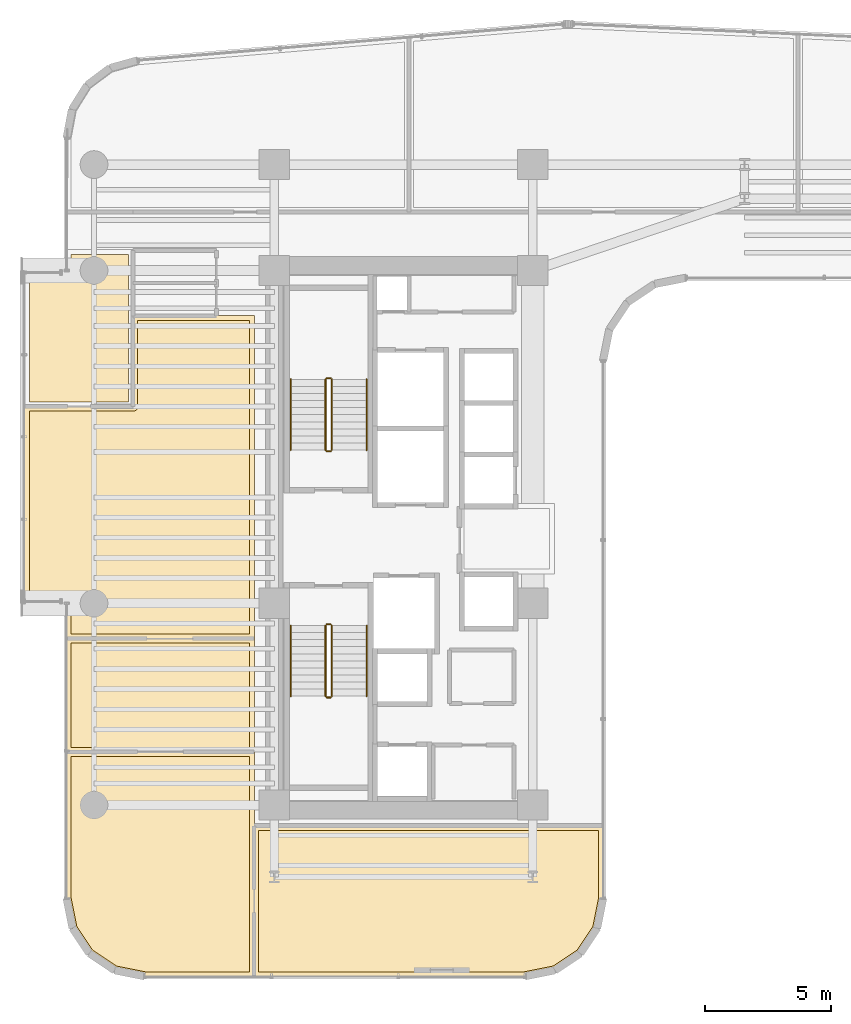
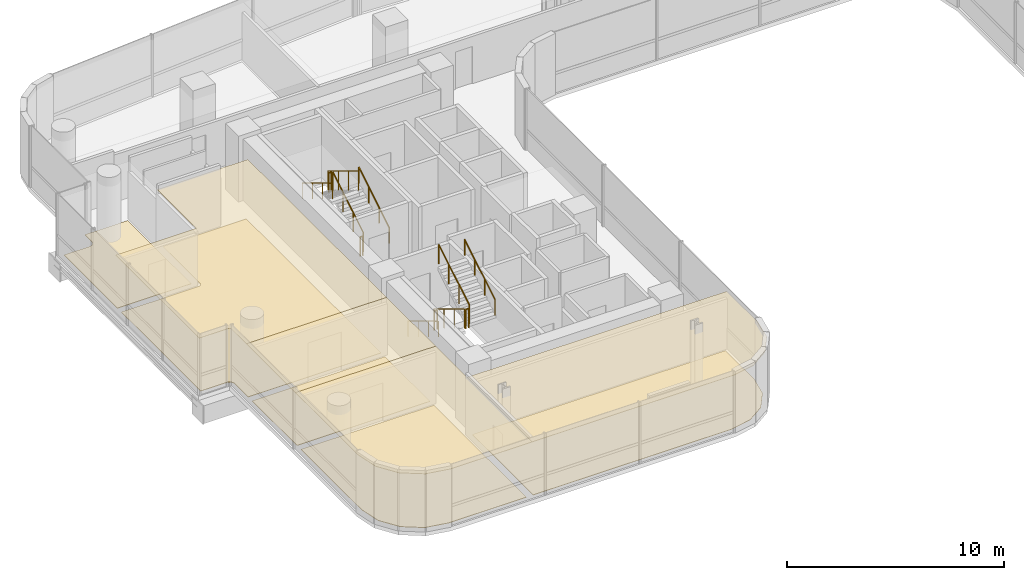
# One storey, part 31 of 34: 12 railings, 9 coverings.
"""IFC4 building model written with IfcOpenShell, lengths in metres."""

from ifc_helpers import new_model, si_unit, direction, frame, origin, origin_2d, place, context, subcontext, project, spatial, polyline, circle, outline, extrude, material, layer, layer_set, type_object, element, save


model = new_model("IFC4")

# Units and contexts
model_context = context("Model", 3, precision=1e-05, world=origin(), true_north=direction((0.0, 1.0)))
body_context = subcontext(model_context, "Body", "Model", "MODEL_VIEW")
ifc_project = project(units=[si_unit("LENGTHUNIT", "METRE"), si_unit("AREAUNIT", "SQUARE_METRE"), si_unit("VOLUMEUNIT", "CUBIC_METRE"), si_unit("PLANEANGLEUNIT", "RADIAN"), si_unit("MASSUNIT", "GRAM", prefix="KILO")], contexts=[model_context])

# Site, building, storey
site_placement = place(None, origin())
site = spatial("IfcSite", under=ifc_project, at=site_placement, CompositionType="ELEMENT")
building_placement = place(site_placement, origin())
building = spatial("IfcBuilding", under=site, at=building_placement, Name="Valdorenza Pilgrim Sanctuary Tower", CompositionType="ELEMENT")
storey_placement = place(building_placement, frame((0.0, 0.0, 142.699951171875)))
storey = spatial("IfcBuildingStorey", under=building, at=storey_placement, Name="L36", CompositionType="ELEMENT", Elevation=142.699951171875)

# Coverings
ifc_material_1 = material(Name="Micro-perforated acoustic mineral ceiling tile", Category="gypsum")
ifc_layer_1 = layer(ifc_material_1, 0.02490234375, Name="Micro-perforated acoustic mineral ceiling tile")
ifc_layer_set_1 = layer_set([ifc_layer_1], Name="Micro-perforated acoustic mineral ceiling tile")
covering_type_1 = type_object("IfcCoveringType", Name="COV-CLG-ACU", PredefinedType="CEILING", material=ifc_layer_set_1)
covering_1_placement = place(storey_placement, frame((0.0, 0.0, 3.16015625)))
element("IfcCovering", 1, at=covering_1_placement, inside=storey, type_object=covering_type_1, Name="L36 Theological Seminar Classroom L36-S1 Acoustic Ceiling", PredefinedType="CEILING", context=body_context, shape_type="SweptSolid", body=[
    extrude(outline(polyline([(-23.43505859375, -17.389892578125), (-23.43505859375, -17.3916015625), (-23.435302734375, -17.392822265625), (-23.435546875, -17.394287109375), (-23.43603515625, -17.395751953125), (-23.436767578125, -17.397216796875), (-23.4375, -17.398193359375), (-23.4384765625, -17.3994140625), (-23.439453125, -17.400634765625), (-23.4404296875, -17.401611328125), (-23.441650390625, -17.402587890625), (-23.44287109375, -17.4033203125), (-23.4443359375, -17.40380859375), (-23.445556640625, -17.404296875), (-23.447021484375, -17.40478515625), (-23.448486328125, -17.40478515625), (-23.449951171875, -17.405029296875), (-27.789306640625, -17.405029296875), (-27.79052734375, -17.40478515625), (-27.7919921875, -17.40478515625), (-28.984619140625, -17.16748046875), (-28.986083984375, -17.1669921875), (-28.9873046875, -17.16650390625), (-28.98876953125, -17.166015625), (-28.989990234375, -17.165283203125), (-29.99169921875, -16.495849609375), (-29.992919921875, -16.4951171875), (-29.993896484375, -16.493896484375), (-29.9951171875, -16.492919921875), (-29.995849609375, -16.49169921875), (-30.665283203125, -15.489990234375), (-30.666015625, -15.48876953125), (-30.66650390625, -15.4873046875), (-30.6669921875, -15.486083984375), (-30.66748046875, -15.484619140625), (-30.90478515625, -14.2919921875), (-30.90478515625, -14.29052734375), (-30.905029296875, -14.289306640625), (-30.905029296875, -8.5), (-30.90478515625, -8.49853515625), (-30.90478515625, -8.4970703125), (-30.904296875, -8.49560546875), (-30.90380859375, -8.494384765625), (-30.9033203125, -8.492919921875), (-30.902587890625, -8.49169921875), (-30.901611328125, -8.490478515625), (-30.900634765625, -8.489501953125), (-30.8994140625, -8.48828125), (-30.898193359375, -8.487548828125), (-30.897216796875, -8.48681640625), (-30.895751953125, -8.486083984375), (-30.894287109375, -8.485595703125), (-30.892822265625, -8.4853515625), (-30.8916015625, -8.485107421875), (-30.889892578125, -8.485107421875), (-23.449951171875, -8.485107421875), (-23.448486328125, -8.485107421875), (-23.447021484375, -8.4853515625), (-23.445556640625, -8.485595703125), (-23.4443359375, -8.486083984375), (-23.44287109375, -8.48681640625), (-23.441650390625, -8.487548828125), (-23.4404296875, -8.48828125), (-23.439453125, -8.489501953125), (-23.4384765625, -8.490478515625), (-23.4375, -8.49169921875), (-23.436767578125, -8.492919921875), (-23.43603515625, -8.494384765625), (-23.435546875, -8.49560546875), (-23.435302734375, -8.4970703125), (-23.43505859375, -8.49853515625), (-23.43505859375, -8.5), (-23.43505859375, -17.389892578125)])), origin(), (0.0, 0.0, 1.0), 0.02490234375),
])
covering_2_placement = place(storey_placement, frame((0.0, 0.0, 3.16015625)))
element("IfcCovering", 2, at=covering_2_placement, inside=storey, type_object=covering_type_1, Name="L36 South Contemplation Salon L36 Acoustic Ceiling", PredefinedType="CEILING", context=body_context, shape_type="SweptSolid", body=[
    extrude(outline(polyline([(-23.43505859375, -8.498046875), (-23.43505859375, -8.49951171875), (-23.435302734375, -8.5009765625), (-23.435546875, -8.50244140625), (-23.43603515625, -8.503662109375), (-23.436767578125, -8.505126953125), (-23.4375, -8.50634765625), (-23.4384765625, -8.507568359375), (-23.439453125, -8.508544921875), (-23.4404296875, -8.509521484375), (-23.441650390625, -8.510498046875), (-23.44287109375, -8.51123046875), (-23.4443359375, -8.511962890625), (-23.445556640625, -8.512451171875), (-23.447021484375, -8.5126953125), (-23.448486328125, -8.512939453125), (-23.449951171875, -8.512939453125), (-30.889892578125, -8.512939453125), (-30.8916015625, -8.512939453125), (-30.892822265625, -8.5126953125), (-30.894287109375, -8.512451171875), (-30.895751953125, -8.511962890625), (-30.897216796875, -8.51123046875), (-30.898193359375, -8.510498046875), (-30.8994140625, -8.509521484375), (-30.900634765625, -8.508544921875), (-30.901611328125, -8.507568359375), (-30.902587890625, -8.50634765625), (-30.9033203125, -8.505126953125), (-30.90380859375, -8.503662109375), (-30.904296875, -8.50244140625), (-30.90478515625, -8.5009765625), (-30.90478515625, -8.49951171875), (-30.905029296875, -8.498046875), (-30.905029296875, -4.0), (-30.90478515625, -3.99853515625), (-30.90478515625, -3.9970703125), (-30.904296875, -3.99560546875), (-30.90380859375, -3.994384765625), (-30.9033203125, -3.992919921875), (-30.902587890625, -3.99169921875), (-30.901611328125, -3.990478515625), (-30.900634765625, -3.989501953125), (-30.8994140625, -3.98828125), (-30.898193359375, -3.987548828125), (-30.897216796875, -3.98681640625), (-30.895751953125, -3.986083984375), (-30.894287109375, -3.985595703125), (-30.892822265625, -3.9853515625), (-30.8916015625, -3.985107421875), (-30.889892578125, -3.985107421875), (-23.449951171875, -3.985107421875), (-23.448486328125, -3.985107421875), (-23.447021484375, -3.9853515625), (-23.445556640625, -3.985595703125), (-23.4443359375, -3.986083984375), (-23.44287109375, -3.98681640625), (-23.441650390625, -3.987548828125), (-23.4404296875, -3.98828125), (-23.439453125, -3.989501953125), (-23.4384765625, -3.990478515625), (-23.4375, -3.99169921875), (-23.436767578125, -3.992919921875), (-23.43603515625, -3.994384765625), (-23.435546875, -3.99560546875), (-23.435302734375, -3.9970703125), (-23.43505859375, -3.99853515625), (-23.43505859375, -4.0), (-23.43505859375, -8.498046875)])), origin(), (0.0, 0.0, 1.0), 0.02490234375),
])
covering_3_placement = place(storey_placement, frame((0.0, 0.0, 3.16015625)))
element("IfcCovering", 3, at=covering_3_placement, inside=storey, type_object=covering_type_1, Name="L36 North Contemplation Salon L36 Acoustic Ceiling", PredefinedType="CEILING", context=body_context, shape_type="SweptSolid", body=[
    extrude(outline(polyline([(-28.262939453125, 5.212890625), (-28.262939453125, 8.798095703125), (-28.262939453125, 8.799560546875), (-28.2626953125, 8.80078125), (-28.262451171875, 8.802490234375), (-28.261962890625, 8.8037109375), (-28.26123046875, 8.80517578125), (-28.260498046875, 8.806396484375), (-28.259521484375, 8.8076171875), (-28.258544921875, 8.80859375), (-28.257568359375, 8.8095703125), (-28.25634765625, 8.810546875), (-28.255126953125, 8.811279296875), (-28.253662109375, 8.81201171875), (-28.25244140625, 8.8125), (-28.2509765625, 8.812744140625), (-28.24951171875, 8.81298828125), (-28.248046875, 8.81298828125), (-24.955322265625, 8.81298828125), (-24.954833984375, 8.813232421875), (-24.95361328125, 8.81396484375), (-24.9521484375, 8.814453125), (-24.95068359375, 8.814697265625), (-24.949462890625, 8.81494140625), (-24.947998046875, 8.81494140625), (-23.449951171875, 8.81494140625), (-23.448486328125, 8.81494140625), (-23.447021484375, 8.814697265625), (-23.445556640625, 8.814453125), (-23.4443359375, 8.81396484375), (-23.44287109375, 8.813232421875), (-23.441650390625, 8.8125), (-23.4404296875, 8.8115234375), (-23.439453125, 8.810546875), (-23.4384765625, 8.8095703125), (-23.4375, 8.808349609375), (-23.436767578125, 8.80712890625), (-23.43603515625, 8.8056640625), (-23.435546875, 8.804443359375), (-23.435302734375, 8.802978515625), (-23.43505859375, 8.801513671875), (-23.43505859375, 8.800048828125), (-23.43505859375, -3.998046875), (-23.43505859375, -3.99951171875), (-23.435302734375, -4.0009765625), (-23.435546875, -4.00244140625), (-23.43603515625, -4.003662109375), (-23.436767578125, -4.005126953125), (-23.4375, -4.00634765625), (-23.4384765625, -4.007568359375), (-23.439453125, -4.008544921875), (-23.4404296875, -4.009521484375), (-23.441650390625, -4.010498046875), (-23.44287109375, -4.01123046875), (-23.4443359375, -4.011962890625), (-23.445556640625, -4.012451171875), (-23.447021484375, -4.0126953125), (-23.448486328125, -4.012939453125), (-23.449951171875, -4.012939453125), (-30.889892578125, -4.012939453125), (-30.8916015625, -4.012939453125), (-30.892822265625, -4.0126953125), (-30.894287109375, -4.012451171875), (-30.895751953125, -4.011962890625), (-30.897216796875, -4.01123046875), (-30.898193359375, -4.010498046875), (-30.8994140625, -4.009521484375), (-30.900634765625, -4.008544921875), (-30.901611328125, -4.007568359375), (-30.902587890625, -4.00634765625), (-30.9033203125, -4.005126953125), (-30.90380859375, -4.003662109375), (-30.904296875, -4.00244140625), (-30.90478515625, -4.0009765625), (-30.90478515625, -3.99951171875), (-30.905029296875, -3.998046875), (-30.905029296875, -2.600341796875), (-30.905517578125, -2.5908203125), (-30.90673828125, -2.58154296875), (-30.9091796875, -2.572509765625), (-30.912109375, -2.563720703125), (-30.916259765625, -2.55517578125), (-30.9208984375, -2.547119140625), (-30.926513671875, -2.539794921875), (-30.932861328125, -2.53271484375), (-30.939697265625, -2.526611328125), (-30.947265625, -2.52099609375), (-30.955078125, -2.51611328125), (-30.963623046875, -2.51220703125), (-30.972412109375, -2.509033203125), (-30.9814453125, -2.5068359375), (-30.99072265625, -2.505615234375), (-31.00048828125, -2.5048828125), (-32.5400390625, -2.5048828125), (-32.54150390625, -2.5048828125), (-32.54296875, -2.504638671875), (-32.54443359375, -2.50439453125), (-32.545654296875, -2.50390625), (-32.547119140625, -2.503173828125), (-32.54833984375, -2.50244140625), (-32.549560546875, -2.501708984375), (-32.550537109375, -2.50048828125), (-32.551513671875, -2.49951171875), (-32.552490234375, -2.498291015625), (-32.55322265625, -2.4970703125), (-32.553955078125, -2.49560546875), (-32.554443359375, -2.494384765625), (-32.5546875, -2.492919921875), (-32.554931640625, -2.491455078125), (-32.554931640625, -2.489990234375), (-32.554931640625, 5.197998046875), (-32.554931640625, 5.199462890625), (-32.5546875, 5.200927734375), (-32.554443359375, 5.202392578125), (-32.553955078125, 5.20361328125), (-32.55322265625, 5.205078125), (-32.552490234375, 5.206298828125), (-32.551513671875, 5.20751953125), (-32.550537109375, 5.20849609375), (-32.549560546875, 5.209716796875), (-32.54833984375, 5.21044921875), (-32.547119140625, 5.211181640625), (-32.545654296875, 5.2119140625), (-32.54443359375, 5.21240234375), (-32.54296875, 5.212646484375), (-32.54150390625, 5.212890625), (-32.5400390625, 5.212890625), (-28.262939453125, 5.212890625)])), origin(), (0.0, 0.0, 1.0), 0.02490234375),
])
covering_4_placement = place(storey_placement, frame((0.0, 0.0, 3.16015625)))
element("IfcCovering", 4, at=covering_4_placement, inside=storey, type_object=covering_type_1, Name="L36 South Panoramic Viewing Salon L36 Acoustic Ceiling", PredefinedType="CEILING", context=body_context, shape_type="SweptSolid", body=[
    extrude(outline(polyline([(-9.610107421875, -11.405029296875), (-9.6083984375, -11.405029296875), (-9.607177734375, -11.4052734375), (-9.605712890625, -11.405517578125), (-9.604248046875, -11.406005859375), (-9.602783203125, -11.40673828125), (-9.601806640625, -11.407470703125), (-9.6005859375, -11.408447265625), (-9.599365234375, -11.409423828125), (-9.598388671875, -11.410400390625), (-9.597412109375, -11.41162109375), (-9.5966796875, -11.412841796875), (-9.59619140625, -11.414306640625), (-9.595703125, -11.41552734375), (-9.59521484375, -11.4169921875), (-9.59521484375, -11.41845703125), (-9.594970703125, -11.419921875), (-9.594970703125, -14.289306640625), (-9.59521484375, -14.29052734375), (-9.59521484375, -14.2919921875), (-9.83251953125, -15.484619140625), (-9.8330078125, -15.486083984375), (-9.83349609375, -15.4873046875), (-9.833984375, -15.48876953125), (-9.834716796875, -15.489990234375), (-10.504150390625, -16.49169921875), (-10.5048828125, -16.492919921875), (-10.506103515625, -16.493896484375), (-10.507080078125, -16.4951171875), (-10.50830078125, -16.495849609375), (-11.510009765625, -17.165283203125), (-11.51123046875, -17.166015625), (-11.5126953125, -17.16650390625), (-11.513916015625, -17.1669921875), (-11.515380859375, -17.16748046875), (-12.7080078125, -17.40478515625), (-12.70947265625, -17.40478515625), (-12.710693359375, -17.405029296875), (-23.447998046875, -17.405029296875), (-23.449462890625, -17.40478515625), (-23.450927734375, -17.40478515625), (-23.452392578125, -17.404296875), (-23.45361328125, -17.40380859375), (-23.455078125, -17.4033203125), (-23.456298828125, -17.402587890625), (-23.45751953125, -17.401611328125), (-23.45849609375, -17.400634765625), (-23.459716796875, -17.3994140625), (-23.46044921875, -17.398193359375), (-23.461181640625, -17.397216796875), (-23.4619140625, -17.395751953125), (-23.46240234375, -17.394287109375), (-23.462646484375, -17.392822265625), (-23.462890625, -17.3916015625), (-23.462890625, -17.389892578125), (-23.462890625, -11.419921875), (-23.462890625, -11.41845703125), (-23.462646484375, -11.4169921875), (-23.46240234375, -11.41552734375), (-23.4619140625, -11.414306640625), (-23.461181640625, -11.412841796875), (-23.46044921875, -11.41162109375), (-23.459716796875, -11.410400390625), (-23.45849609375, -11.409423828125), (-23.45751953125, -11.408447265625), (-23.456298828125, -11.407470703125), (-23.455078125, -11.40673828125), (-23.45361328125, -11.406005859375), (-23.452392578125, -11.405517578125), (-23.450927734375, -11.4052734375), (-23.449462890625, -11.405029296875), (-23.447998046875, -11.405029296875), (-9.610107421875, -11.405029296875)])), origin(), (0.0, 0.0, 1.0), 0.02490234375),
])
ifc_material_2 = material(Name="Engineered European oak timber flooring", Category="wood")
ifc_layer_2 = layer(ifc_material_2, 0.02197265625, Name="Engineered European oak timber flooring")
ifc_layer_set_2 = layer_set([ifc_layer_2], Name="Engineered European oak timber flooring")
covering_type_2 = type_object("IfcCoveringType", Name="COV-FLR-OAK", PredefinedType="FLOORING", material=ifc_layer_set_2)
covering_5_placement = place(storey_placement, origin())
element("IfcCovering", 5, at=covering_5_placement, inside=storey, type_object=covering_type_2, Name="L36 Theological Seminar Classroom L36-S1 Flooring", PredefinedType="FLOORING", context=body_context, shape_type="SweptSolid", body=[
    extrude(outline(polyline([(-23.6298828125, -17.2099609375), (-27.771484375, -17.2099609375), (-28.911376953125, -16.983154296875), (-29.853515625, -16.353515625), (-30.483154296875, -15.411376953125), (-30.7099609375, -14.271484375), (-30.7099609375, -8.679931640625), (-23.6298828125, -8.679931640625), (-23.6298828125, -17.2099609375)])), origin(), (0.0, 0.0, 1.0), 0.025146484375),
])
ifc_material_3 = material(Name="Honed travertine stone flooring", Category="masonry")
ifc_layer_3 = layer(ifc_material_3, 0.030029296875, Name="Honed travertine stone flooring")
ifc_layer_set_3 = layer_set([ifc_layer_3], Name="Honed travertine stone flooring")
covering_type_3 = type_object("IfcCoveringType", Name="COV-FLR-TRV", PredefinedType="FLOORING", material=ifc_layer_set_3)
covering_6_placement = place(storey_placement, origin())
element("IfcCovering", 6, at=covering_6_placement, inside=storey, type_object=covering_type_3, Name="L36 North Contemplation Lounge L36 Flooring", PredefinedType="FLOORING", context=body_context, shape_type="SweptSolid", body=[
    extrude(outline(polyline([(-28.431884765625, 11.239990234375), (-28.431884765625, 10.10205078125), (-28.431884765625, 10.10107421875), (-28.431884765625, 10.100341796875), (-28.431884765625, 10.10009765625), (-28.431884765625, 8.800048828125), (-28.43017578125, 5.3798828125), (-32.360107421875, 5.3798828125), (-32.360107421875, 10.31005859375), (-31.0, 10.31005859375), (-30.9912109375, 10.310302734375), (-30.98046875, 10.310791015625), (-30.962890625, 10.3125), (-30.9521484375, 10.314208984375), (-30.934814453125, 10.3173828125), (-30.92431640625, 10.320068359375), (-30.907470703125, 10.3251953125), (-30.897216796875, 10.328857421875), (-30.880859375, 10.335693359375), (-30.87109375, 10.34033203125), (-30.855712890625, 10.3486328125), (-30.84619140625, 10.35400390625), (-30.831787109375, 10.364013671875), (-30.822998046875, 10.370361328125), (-30.809326171875, 10.381591796875), (-30.80126953125, 10.388916015625), (-30.788818359375, 10.4013671875), (-30.781494140625, 10.4091796875), (-30.7705078125, 10.423095703125), (-30.763916015625, 10.431640625), (-30.754150390625, 10.4462890625), (-30.74853515625, 10.45556640625), (-30.740234375, 10.47119140625), (-30.735595703125, 10.48095703125), (-30.72900390625, 10.497314453125), (-30.725341796875, 10.50732421875), (-30.72021484375, 10.5244140625), (-30.717529296875, 10.534912109375), (-30.714111328125, 10.552001953125), (-30.71240234375, 10.562744140625), (-30.710693359375, 10.580322265625), (-30.710205078125, 10.59130859375), (-30.7099609375, 10.60009765625), (-30.7099609375, 11.239990234375), (-28.431884765625, 11.239990234375)])), origin(), (0.0, 0.0, 1.0), 0.025146484375),
])
covering_7_placement = place(storey_placement, origin())
element("IfcCovering", 7, at=covering_7_placement, inside=storey, type_object=covering_type_3, Name="L36 South Contemplation Salon L36 Flooring", PredefinedType="FLOORING", context=body_context, shape_type="SweptSolid", body=[
    extrude(outline(polyline([(-23.6298828125, -8.318115234375), (-30.7099609375, -8.318115234375), (-30.7099609375, -4.179931640625), (-23.6298828125, -4.179931640625), (-23.6298828125, -8.318115234375)])), origin(), (0.0, 0.0, 1.0), 0.025146484375),
])
covering_8_placement = place(storey_placement, origin())
element("IfcCovering", 8, at=covering_8_placement, inside=storey, type_object=covering_type_3, Name="L36 North Contemplation Salon L36 Flooring", PredefinedType="FLOORING", context=body_context, shape_type="SweptSolid", body=[
    extrude(outline(polyline([(-23.6298828125, 8.619873046875), (-23.6298828125, -3.818115234375), (-30.7099609375, -3.818115234375), (-30.7099609375, -2.60009765625), (-30.710205078125, -2.59130859375), (-30.710693359375, -2.580322265625), (-30.71240234375, -2.562744140625), (-30.714111328125, -2.552001953125), (-30.717529296875, -2.534912109375), (-30.72021484375, -2.5244140625), (-30.725341796875, -2.50732421875), (-30.72900390625, -2.497314453125), (-30.735595703125, -2.48095703125), (-30.740234375, -2.47119140625), (-30.74853515625, -2.45556640625), (-30.754150390625, -2.4462890625), (-30.763916015625, -2.431640625), (-30.7705078125, -2.423095703125), (-30.781494140625, -2.4091796875), (-30.788818359375, -2.4013671875), (-30.80126953125, -2.388916015625), (-30.809326171875, -2.381591796875), (-30.822998046875, -2.370361328125), (-30.831787109375, -2.364013671875), (-30.84619140625, -2.35400390625), (-30.855712890625, -2.3486328125), (-30.87109375, -2.34033203125), (-30.880859375, -2.335693359375), (-30.897216796875, -2.328857421875), (-30.907470703125, -2.3251953125), (-30.92431640625, -2.320068359375), (-30.934814453125, -2.3173828125), (-30.9521484375, -2.314208984375), (-30.962890625, -2.3125), (-30.98046875, -2.310791015625), (-30.9912109375, -2.310302734375), (-31.0, -2.31005859375), (-32.360107421875, -2.31005859375), (-32.360107421875, 5.01806640625), (-28.25, 5.01806640625), (-28.2412109375, 5.018310546875), (-28.240966796875, 5.018310546875), (-28.223388671875, 5.02001953125), (-28.22314453125, 5.02001953125), (-28.205810546875, 5.0234375), (-28.205810546875, 5.0234375), (-28.188720703125, 5.028564453125), (-28.188720703125, 5.02880859375), (-28.17236328125, 5.035400390625), (-28.172119140625, 5.035400390625), (-28.156494140625, 5.043701171875), (-28.156494140625, 5.0439453125), (-28.1416015625, 5.0537109375), (-28.1416015625, 5.053955078125), (-28.1279296875, 5.065185546875), (-28.127685546875, 5.065185546875), (-28.115234375, 5.07763671875), (-28.114990234375, 5.077880859375), (-28.10400390625, 5.091552734375), (-28.103759765625, 5.091796875), (-28.093994140625, 5.1064453125), (-28.09375, 5.1064453125), (-28.08544921875, 5.1220703125), (-28.08544921875, 5.122314453125), (-28.07861328125, 5.138671875), (-28.07861328125, 5.138916015625), (-28.073486328125, 5.15576171875), (-28.073486328125, 5.156005859375), (-28.070068359375, 5.173095703125), (-28.070068359375, 5.17333984375), (-28.068115234375, 5.19091796875), (-28.068115234375, 5.191162109375), (-28.068115234375, 5.199951171875), (-28.068115234375, 8.617919921875), (-24.949951171875, 8.617919921875), (-24.94970703125, 8.617919921875), (-23.6298828125, 8.619873046875)])), origin(), (0.0, 0.0, 1.0), 0.025146484375),
])
covering_9_placement = place(storey_placement, origin())
element("IfcCovering", 9, at=covering_9_placement, inside=storey, type_object=covering_type_3, Name="L36 South Panoramic Viewing Salon L36 Flooring", PredefinedType="FLOORING", context=body_context, shape_type="SweptSolid", body=[
    extrude(outline(polyline([(-9.7900390625, -11.60009765625), (-9.7900390625, -14.271484375), (-10.016845703125, -15.411376953125), (-10.646484375, -16.353515625), (-11.588623046875, -16.983154296875), (-12.728515625, -17.2099609375), (-23.26806640625, -17.2099609375), (-23.26806640625, -11.60009765625), (-9.7900390625, -11.60009765625)])), origin(), (0.0, 0.0, 1.0), 0.025146484375),
])

# Railings
ifc_material_4 = material(Name="Stainless steel Grade 316", Category="steel")
railing_type_1 = type_object("IfcRailingType", Name="RLG-GRD-1120", PredefinedType="GUARDRAIL", material=ifc_material_4)
railing_1_placement = place(storey_placement, frame((-20.3701171875, 3.47998046875, 0.168212890625)))
element("IfcRailing", 10, at=railing_1_placement, inside=storey, type_object=railing_type_1, Name="L36 ST-A1 stair guard 1", PredefinedType="GUARDRAIL", context=body_context, shape_type="SweptSolid", body=[
    extrude(circle(Radius=0.02392578125, at=origin_2d()), frame((0.0, 0.0, 1.076171875), z_axis=(0.0, 0.857242210791, 0.514913383045), x_axis=(-1.0, 0.0, 0.0)), (0.0, 0.0, 1.0), 3.266357421875),
    extrude(circle(Radius=0.02099609375, at=origin_2d()), origin(), (0.0, 0.0, 1.0), 1.052001953125),
    extrude(circle(Radius=0.02099609375, at=origin_2d()), frame((0.0, 0.933349609375, 0.560546875)), (0.0, 0.0, 1.0), 1.052001953125),
    extrude(circle(Radius=0.02099609375, at=origin_2d()), frame((0.0, 1.86669921875, 1.121337890625)), (0.0, 0.0, 1.0), 1.052001953125),
    extrude(circle(Radius=0.02099609375, at=origin_2d()), frame((0.0, 2.800048828125, 1.681884765625)), (0.0, 0.0, 1.0), 1.052001953125),
])
railing_2_placement = place(storey_placement, frame((-20.419921875, 6.330078125, 1.85009765625)))
element("IfcRailing", 11, at=railing_2_placement, inside=storey, type_object=railing_type_1, Name="L36 ST-A1 stair guard 2", PredefinedType="GUARDRAIL", context=body_context, shape_type="SweptSolid", body=[
    extrude(circle(Radius=0.02392578125, at=origin_2d()), frame((0.0, 0.0, 1.076171875), z_axis=(-1.0, 0.0, 0.0), x_axis=(0.0, -1.0, 0.0)), (0.0, 0.0, 1.0), 0.150146484375),
    extrude(circle(Radius=0.02099609375, at=origin_2d()), origin(), (0.0, 0.0, 1.0), 1.052001953125),
    extrude(circle(Radius=0.02099609375, at=origin_2d()), frame((-0.150146484375, 0.0, 0.0)), (0.0, 0.0, 1.0), 1.052001953125),
])
railing_3_placement = place(storey_placement, frame((-20.6201171875, 6.280029296875, 2.018310546875)))
element("IfcRailing", 12, at=railing_3_placement, inside=storey, type_object=railing_type_1, Name="L36 ST-A1 stair guard 3", PredefinedType="GUARDRAIL", context=body_context, shape_type="SweptSolid", body=[
    extrude(circle(Radius=0.02392578125, at=origin_2d()), frame((0.0, 0.0, 1.076171875), z_axis=(0.0, -0.857275202839, 0.514858452973), x_axis=(1.0, 0.0, 0.0)), (0.0, 0.0, 1.0), 3.26611328125),
    extrude(circle(Radius=0.02099609375, at=origin_2d()), origin(), (0.0, 0.0, 1.0), 1.052001953125),
    extrude(circle(Radius=0.02099609375, at=origin_2d()), frame((0.0, -0.933349609375, 0.560546875)), (0.0, 0.0, 1.0), 1.052001953125),
    extrude(circle(Radius=0.02099609375, at=origin_2d()), frame((0.0, -1.86669921875, 1.12109375)), (0.0, 0.0, 1.0), 1.052001953125),
    extrude(circle(Radius=0.02099609375, at=origin_2d()), frame((0.0, -2.800048828125, 1.681640625)), (0.0, 0.0, 1.0), 1.052001953125),
])
railing_4_placement = place(storey_placement, frame((-20.419921875, 3.429931640625, 0.0)))
element("IfcRailing", 13, at=railing_4_placement, inside=storey, type_object=railing_type_1, Name="L36 ST-A1 stair guard 4", PredefinedType="GUARDRAIL", context=body_context, shape_type="SweptSolid", body=[
    extrude(circle(Radius=0.02392578125, at=origin_2d()), frame((0.0, 0.0, 1.076171875), z_axis=(-1.0, 0.0, 0.0), x_axis=(0.0, -1.0, 0.0)), (0.0, 0.0, 1.0), 0.150146484375),
    extrude(circle(Radius=0.02099609375, at=origin_2d()), origin(), (0.0, 0.0, 1.0), 1.052001953125),
    extrude(circle(Radius=0.02099609375, at=origin_2d()), frame((-0.150146484375, 0.0, 0.0)), (0.0, 0.0, 1.0), 1.052001953125),
])
railing_5_placement = place(storey_placement, frame((-20.6201171875, -3.47998046875, 0.168212890625)))
element("IfcRailing", 14, at=railing_5_placement, inside=storey, type_object=railing_type_1, Name="L36 ST-A2 stair guard 1", PredefinedType="GUARDRAIL", context=body_context, shape_type="SweptSolid", body=[
    extrude(circle(Radius=0.02392578125, at=origin_2d()), frame((0.0, 0.0, 1.076171875), z_axis=(0.0, -0.857242210791, 0.514913383045), x_axis=(1.0, 0.0, 0.0)), (0.0, 0.0, 1.0), 3.266357421875),
    extrude(circle(Radius=0.02099609375, at=origin_2d()), origin(), (0.0, 0.0, 1.0), 1.052001953125),
    extrude(circle(Radius=0.02099609375, at=origin_2d()), frame((0.0, -0.933349609375, 0.560546875)), (0.0, 0.0, 1.0), 1.052001953125),
    extrude(circle(Radius=0.02099609375, at=origin_2d()), frame((0.0, -1.86669921875, 1.121337890625)), (0.0, 0.0, 1.0), 1.052001953125),
    extrude(circle(Radius=0.02099609375, at=origin_2d()), frame((0.0, -2.800048828125, 1.681884765625)), (0.0, 0.0, 1.0), 1.052001953125),
])
railing_6_placement = place(storey_placement, frame((-20.570068359375, -6.330078125, 1.85009765625)))
element("IfcRailing", 15, at=railing_6_placement, inside=storey, type_object=railing_type_1, Name="L36 ST-A2 stair guard 2", PredefinedType="GUARDRAIL", context=body_context, shape_type="SweptSolid", body=[
    extrude(circle(Radius=0.02392578125, at=origin_2d()), frame((0.0, 0.0, 1.076171875), z_axis=(1.0, 0.0, 0.0), x_axis=(0.0, 1.0, 0.0)), (0.0, 0.0, 1.0), 0.150146484375),
    extrude(circle(Radius=0.02099609375, at=origin_2d()), origin(), (0.0, 0.0, 1.0), 1.052001953125),
    extrude(circle(Radius=0.02099609375, at=origin_2d()), frame((0.150146484375, 0.0, 0.0)), (0.0, 0.0, 1.0), 1.052001953125),
])
railing_7_placement = place(storey_placement, frame((-20.3701171875, -6.280029296875, 2.018310546875)))
element("IfcRailing", 16, at=railing_7_placement, inside=storey, type_object=railing_type_1, Name="L36 ST-A2 stair guard 3", PredefinedType="GUARDRAIL", context=body_context, shape_type="SweptSolid", body=[
    extrude(circle(Radius=0.02392578125, at=origin_2d()), frame((0.0, 0.0, 1.076171875), z_axis=(0.0, 0.857275202839, 0.514858452973), x_axis=(-1.0, 0.0, 0.0)), (0.0, 0.0, 1.0), 3.26611328125),
    extrude(circle(Radius=0.02099609375, at=origin_2d()), origin(), (0.0, 0.0, 1.0), 1.052001953125),
    extrude(circle(Radius=0.02099609375, at=origin_2d()), frame((0.0, 0.933349609375, 0.560546875)), (0.0, 0.0, 1.0), 1.052001953125),
    extrude(circle(Radius=0.02099609375, at=origin_2d()), frame((0.0, 1.86669921875, 1.12109375)), (0.0, 0.0, 1.0), 1.052001953125),
    extrude(circle(Radius=0.02099609375, at=origin_2d()), frame((0.0, 2.800048828125, 1.681640625)), (0.0, 0.0, 1.0), 1.052001953125),
])
railing_8_placement = place(storey_placement, frame((-20.570068359375, -3.429931640625, 0.0)))
element("IfcRailing", 17, at=railing_8_placement, inside=storey, type_object=railing_type_1, Name="L36 ST-A2 stair guard 4", PredefinedType="GUARDRAIL", context=body_context, shape_type="SweptSolid", body=[
    extrude(circle(Radius=0.02392578125, at=origin_2d()), frame((0.0, 0.0, 1.076171875), z_axis=(1.0, 0.0, 0.0), x_axis=(0.0, 1.0, 0.0)), (0.0, 0.0, 1.0), 0.150146484375),
    extrude(circle(Radius=0.02099609375, at=origin_2d()), origin(), (0.0, 0.0, 1.0), 1.052001953125),
    extrude(circle(Radius=0.02099609375, at=origin_2d()), frame((0.150146484375, 0.0, 0.0)), (0.0, 0.0, 1.0), 1.052001953125),
])
ifc_material_5 = material(Name="Brushed stainless steel Grade 316", Category="steel")
railing_type_2 = type_object("IfcRailingType", Name="RLG-HND-920", PredefinedType="HANDRAIL", material=ifc_material_5)
railing_9_placement = place(storey_placement, frame((-18.989990234375, 3.47998046875, 0.168212890625)))
element("IfcRailing", 18, at=railing_9_placement, inside=storey, type_object=railing_type_2, Name="L36 ST-A1 stair handrail 1", PredefinedType="HANDRAIL", context=body_context, shape_type="SweptSolid", body=[
    extrude(circle(Radius=0.02392578125, at=origin_2d()), frame((0.0, 0.0, 0.8759765625), z_axis=(0.0, 0.857242210791, 0.514913383045), x_axis=(-1.0, 0.0, 0.0)), (0.0, 0.0, 1.0), 3.266357421875),
    extrude(circle(Radius=0.02099609375, at=origin_2d()), origin(), (0.0, 0.0, 1.0), 0.851806640625),
    extrude(circle(Radius=0.02099609375, at=origin_2d()), frame((0.0, 0.933349609375, 0.560546875)), (0.0, 0.0, 1.0), 0.851806640625),
    extrude(circle(Radius=0.02099609375, at=origin_2d()), frame((0.0, 1.86669921875, 1.121337890625)), (0.0, 0.0, 1.0), 0.851806640625),
    extrude(circle(Radius=0.02099609375, at=origin_2d()), frame((0.0, 2.800048828125, 1.681884765625)), (0.0, 0.0, 1.0), 0.851806640625),
])
railing_10_placement = place(storey_placement, frame((-22.0, 6.280029296875, 2.018310546875)))
element("IfcRailing", 19, at=railing_10_placement, inside=storey, type_object=railing_type_2, Name="L36 ST-A1 stair handrail 2", PredefinedType="HANDRAIL", context=body_context, shape_type="SweptSolid", body=[
    extrude(circle(Radius=0.02392578125, at=origin_2d()), frame((0.0, 0.0, 0.8759765625), z_axis=(0.0, -0.857275202839, 0.514858452973), x_axis=(1.0, 0.0, 0.0)), (0.0, 0.0, 1.0), 3.26611328125),
    extrude(circle(Radius=0.02099609375, at=origin_2d()), origin(), (0.0, 0.0, 1.0), 0.851806640625),
    extrude(circle(Radius=0.02099609375, at=origin_2d()), frame((0.0, -0.933349609375, 0.560546875)), (0.0, 0.0, 1.0), 0.851806640625),
    extrude(circle(Radius=0.02099609375, at=origin_2d()), frame((0.0, -1.86669921875, 1.12109375)), (0.0, 0.0, 1.0), 0.851806640625),
    extrude(circle(Radius=0.02099609375, at=origin_2d()), frame((0.0, -2.800048828125, 1.681640625)), (0.0, 0.0, 1.0), 0.851806640625),
])
railing_11_placement = place(storey_placement, frame((-22.0, -3.47998046875, 0.168212890625)))
element("IfcRailing", 20, at=railing_11_placement, inside=storey, type_object=railing_type_2, Name="L36 ST-A2 stair handrail 1", PredefinedType="HANDRAIL", context=body_context, shape_type="SweptSolid", body=[
    extrude(circle(Radius=0.02392578125, at=origin_2d()), frame((0.0, 0.0, 0.8759765625), z_axis=(0.0, -0.857242210791, 0.514913383045), x_axis=(1.0, 0.0, 0.0)), (0.0, 0.0, 1.0), 3.266357421875),
    extrude(circle(Radius=0.02099609375, at=origin_2d()), origin(), (0.0, 0.0, 1.0), 0.851806640625),
    extrude(circle(Radius=0.02099609375, at=origin_2d()), frame((0.0, -0.933349609375, 0.560546875)), (0.0, 0.0, 1.0), 0.851806640625),
    extrude(circle(Radius=0.02099609375, at=origin_2d()), frame((0.0, -1.86669921875, 1.121337890625)), (0.0, 0.0, 1.0), 0.851806640625),
    extrude(circle(Radius=0.02099609375, at=origin_2d()), frame((0.0, -2.800048828125, 1.681884765625)), (0.0, 0.0, 1.0), 0.851806640625),
])
railing_12_placement = place(storey_placement, frame((-18.989990234375, -6.280029296875, 2.018310546875)))
element("IfcRailing", 21, at=railing_12_placement, inside=storey, type_object=railing_type_2, Name="L36 ST-A2 stair handrail 2", PredefinedType="HANDRAIL", context=body_context, shape_type="SweptSolid", body=[
    extrude(circle(Radius=0.02392578125, at=origin_2d()), frame((0.0, 0.0, 0.8759765625), z_axis=(0.0, 0.857275202839, 0.514858452973), x_axis=(-1.0, 0.0, 0.0)), (0.0, 0.0, 1.0), 3.26611328125),
    extrude(circle(Radius=0.02099609375, at=origin_2d()), origin(), (0.0, 0.0, 1.0), 0.851806640625),
    extrude(circle(Radius=0.02099609375, at=origin_2d()), frame((0.0, 0.933349609375, 0.560546875)), (0.0, 0.0, 1.0), 0.851806640625),
    extrude(circle(Radius=0.02099609375, at=origin_2d()), frame((0.0, 1.86669921875, 1.12109375)), (0.0, 0.0, 1.0), 0.851806640625),
    extrude(circle(Radius=0.02099609375, at=origin_2d()), frame((0.0, 2.800048828125, 1.681640625)), (0.0, 0.0, 1.0), 0.851806640625),
])

save(model, "model.ifc")
